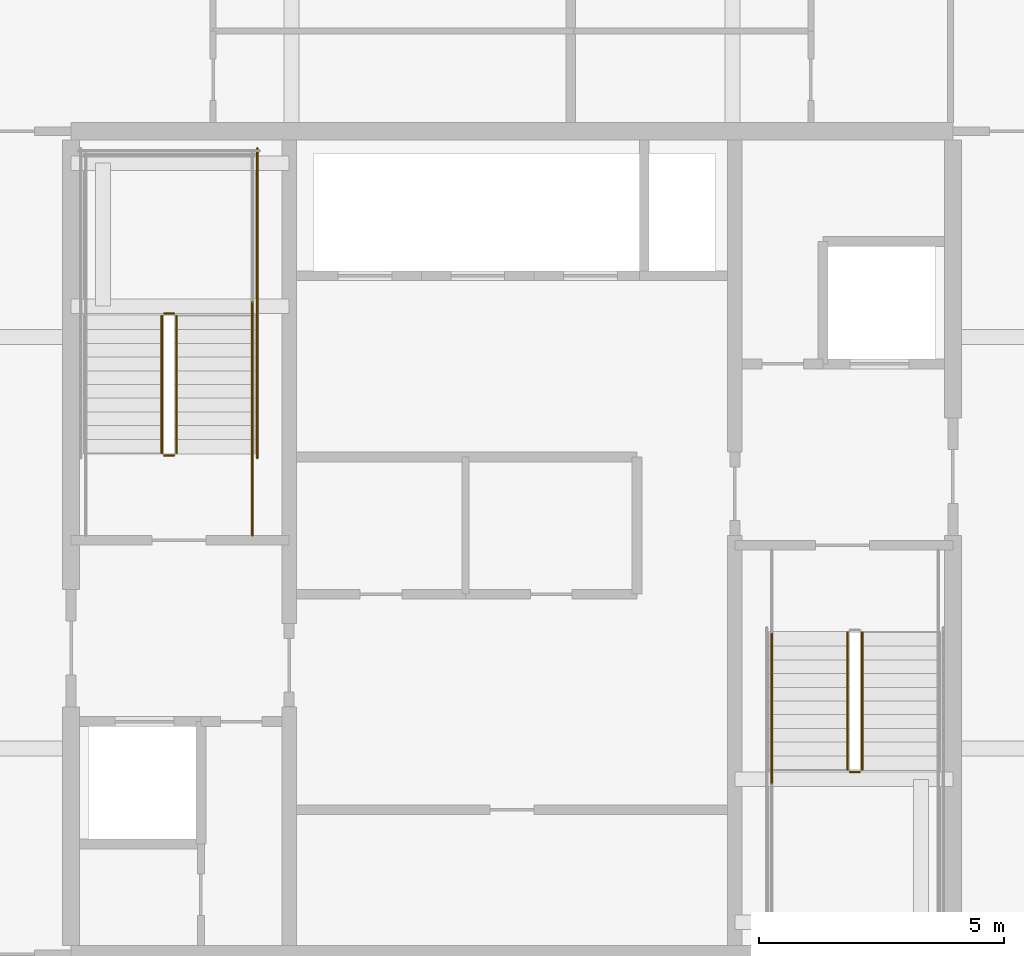
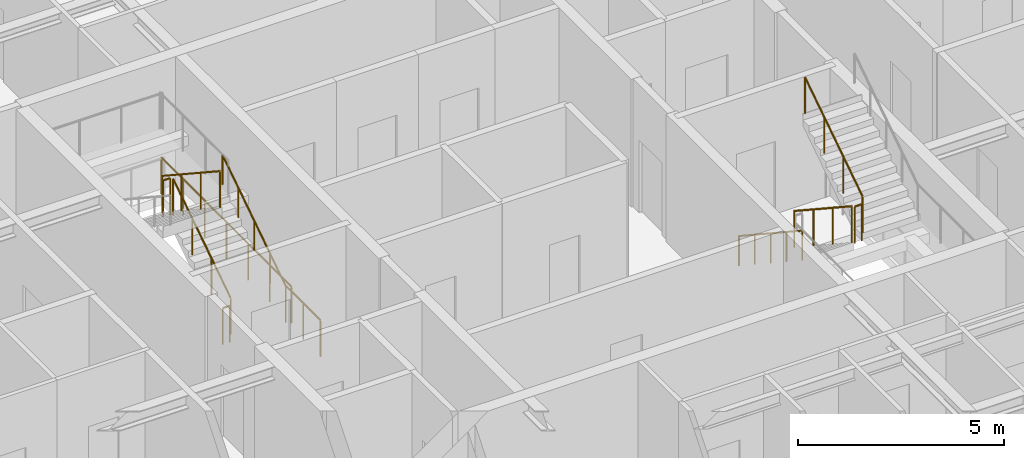
# One storey, part 39 of 42: 11 railings.
"""IFC4 building model written with IfcOpenShell, lengths in metres."""

from ifc_helpers import new_model, si_unit, direction, frame, origin, origin_2d, place, context, subcontext, project, spatial, circle, extrude, material, type_object, element, save


model = new_model("IFC4")

# Units and contexts
model_context = context("Model", 3, precision=1e-05, world=origin(), true_north=direction((0.0, 1.0)))
body_context = subcontext(model_context, "Body", "Model", "MODEL_VIEW")
ifc_project = project(units=[si_unit("LENGTHUNIT", "METRE"), si_unit("AREAUNIT", "SQUARE_METRE"), si_unit("VOLUMEUNIT", "CUBIC_METRE"), si_unit("PLANEANGLEUNIT", "RADIAN"), si_unit("MASSUNIT", "GRAM", prefix="KILO")], contexts=[model_context])

# Site, building, storey
site_placement = place(None, origin())
site = spatial("IfcSite", under=ifc_project, at=site_placement, CompositionType="ELEMENT")
building_placement = place(site_placement, origin())
building = spatial("IfcBuilding", under=site, at=building_placement, Name="Serunith Strait Residences", CompositionType="ELEMENT")
storey_placement = place(building_placement, frame((0.0, 0.0, 325.85009765625)))
storey = spatial("IfcBuildingStorey", under=building, at=storey_placement, Name="L81", CompositionType="ELEMENT", Elevation=325.85009765625)

# Railings
ifc_material = material(Name="Brushed stainless steel 316L", Category="steel")
railing_type_1 = type_object("IfcRailingType", Name="RLG-STAIR-GUARD", PredefinedType="BALUSTRADE", material=ifc_material)
railing_1_placement = place(storey_placement, frame((25.550048828125, 27.030029296875, 0.18408203125)))
element("IfcRailing", 1, at=railing_1_placement, inside=storey, type_object=railing_type_1, Name="L81 ST-1 stair guard 1", PredefinedType="BALUSTRADE", context=body_context, shape_type="SweptSolid", body=[
    extrude(circle(Radius=0.02392578125, at=origin_2d()), frame((0.0, 0.001708984375, 1.0771484375), z_axis=(0.0, 0.835597507184, 0.549342157483), x_axis=(-1.0, 0.0, 0.0)), (0.0, 0.0, 1.0), 3.346923828125),
    extrude(circle(Radius=0.02099609375, at=origin_2d()), origin(), (0.0, 0.0, 1.0), 1.050048828125),
    extrude(circle(Radius=0.02099609375, at=origin_2d()), frame((0.0, 0.933349609375, 0.613525390625)), (0.0, 0.0, 1.0), 1.050048828125),
    extrude(circle(Radius=0.02099609375, at=origin_2d()), frame((0.0, 1.86669921875, 1.227294921875)), (0.0, 0.0, 1.0), 1.050048828125),
    extrude(circle(Radius=0.02099609375, at=origin_2d()), frame((0.0, 2.800048828125, 1.8408203125)), (0.0, 0.0, 1.0), 1.050048828125),
])
railing_2_placement = place(storey_placement, frame((25.5, 29.8798828125, 2.02490234375)))
element("IfcRailing", 2, at=railing_2_placement, inside=storey, type_object=railing_type_1, Name="L81 ST-1 stair guard 2", PredefinedType="BALUSTRADE", context=body_context, shape_type="SweptSolid", body=[
    extrude(circle(Radius=0.02392578125, at=origin_2d()), frame((-0.001953125, 0.0, 1.076171875), z_axis=(-1.0, 0.0, 0.0), x_axis=(0.0, -1.0, 0.0)), (0.0, 0.0, 1.0), 0.196044921875),
    extrude(circle(Radius=0.02099609375, at=origin_2d()), origin(), (0.0, 0.0, 1.0), 1.050048828125),
    extrude(circle(Radius=0.02099609375, at=origin_2d()), frame((-0.199951171875, 0.0, 0.0)), (0.0, 0.0, 1.0), 1.050048828125),
])
railing_3_placement = place(storey_placement, frame((25.25, 29.830078125, 2.208984375)))
element("IfcRailing", 3, at=railing_3_placement, inside=storey, type_object=railing_type_1, Name="L81 ST-1 stair guard 6", PredefinedType="BALUSTRADE", context=body_context, shape_type="SweptSolid", body=[
    extrude(circle(Radius=0.02392578125, at=origin_2d()), frame((0.0, -0.001708984375, 1.0771484375), z_axis=(0.0, -0.835597507184, 0.549342157483), x_axis=(1.0, 0.0, 0.0)), (0.0, 0.0, 1.0), 3.346923828125),
    extrude(circle(Radius=0.02099609375, at=origin_2d()), origin(), (0.0, 0.0, 1.0), 1.050048828125),
    extrude(circle(Radius=0.02099609375, at=origin_2d()), frame((0.0, -0.933349609375, 0.613525390625)), (0.0, 0.0, 1.0), 1.050048828125),
    extrude(circle(Radius=0.02099609375, at=origin_2d()), frame((0.0, -1.86669921875, 1.227294921875)), (0.0, 0.0, 1.0), 1.050048828125),
    extrude(circle(Radius=0.02099609375, at=origin_2d()), frame((0.0, -2.800048828125, 1.8408203125)), (0.0, 0.0, 1.0), 1.050048828125),
])
railing_4_placement = place(storey_placement, frame((25.5, 26.97998046875, 0.0)))
element("IfcRailing", 4, at=railing_4_placement, inside=storey, type_object=railing_type_1, Name="L81 ST-1 stair guard 7", PredefinedType="BALUSTRADE", context=body_context, shape_type="SweptSolid", body=[
    extrude(circle(Radius=0.02392578125, at=origin_2d()), frame((-0.001953125, 0.0, 1.076171875), z_axis=(-1.0, 0.0, 0.0), x_axis=(0.0, -1.0, 0.0)), (0.0, 0.0, 1.0), 0.196044921875),
    extrude(circle(Radius=0.02099609375, at=origin_2d()), origin(), (0.0, 0.0, 1.0), 1.050048828125),
    extrude(circle(Radius=0.02099609375, at=origin_2d()), frame((-0.199951171875, 0.0, 0.0)), (0.0, 0.0, 1.0), 1.050048828125),
])
railing_5_placement = place(storey_placement, frame((27.10009765625, 25.35009765625, 0.0)))
element("IfcRailing", 5, at=railing_5_placement, inside=storey, type_object=railing_type_1, Name="L81 ST-1 stair guard 8", PredefinedType="BALUSTRADE", context=body_context, shape_type="SweptSolid", body=[
    extrude(circle(Radius=0.02392578125, at=origin_2d()), frame((0.0, 0.001953125, 1.076171875), z_axis=(0.0, 1.0, 0.0), x_axis=(-1.0, 0.0, 0.0)), (0.0, 0.0, 1.0), 1.676025390625),
    extrude(circle(Radius=0.02099609375, at=origin_2d()), origin(), (0.0, 0.0, 1.0), 1.050048828125),
    extrude(circle(Radius=0.02099609375, at=origin_2d()), frame((0.0, 0.83984375, 0.0)), (0.0, 0.0, 1.0), 1.050048828125),
    extrude(circle(Radius=0.02099609375, at=origin_2d()), frame((0.0, 1.679931640625, 0.0)), (0.0, 0.0, 1.0), 1.050048828125),
])
railing_6_placement = place(storey_placement, frame((27.199951171875, 26.929931640625, 0.0)))
element("IfcRailing", 6, at=railing_6_placement, inside=storey, type_object=railing_type_1, Name="L81 ST-1 stair guard 10", PredefinedType="BALUSTRADE", context=body_context, shape_type="SweptSolid", body=[
    extrude(circle(Radius=0.02392578125, at=origin_2d()), frame((0.0, 0.001953125, 1.076171875), z_axis=(0.0, 1.0, 0.0), x_axis=(-1.0, 0.0, 0.0)), (0.0, 0.0, 1.0), 6.316162109375),
    extrude(circle(Radius=0.02099609375, at=origin_2d()), origin(), (0.0, 0.0, 1.0), 1.050048828125),
    extrude(circle(Radius=0.02099609375, at=origin_2d()), frame((0.0, 1.05322265625, 0.0)), (0.0, 0.0, 1.0), 1.050048828125),
    extrude(circle(Radius=0.02099609375, at=origin_2d()), frame((0.0, 2.106689453125, 0.0)), (0.0, 0.0, 1.0), 1.050048828125),
    extrude(circle(Radius=0.02099609375, at=origin_2d()), frame((0.0, 3.16015625, 0.0)), (0.0, 0.0, 1.0), 1.050048828125),
    extrude(circle(Radius=0.02099609375, at=origin_2d()), frame((0.0, 4.21337890625, 0.0)), (0.0, 0.0, 1.0), 1.050048828125),
    extrude(circle(Radius=0.02099609375, at=origin_2d()), frame((0.0, 5.2666015625, 0.0)), (0.0, 0.0, 1.0), 1.050048828125),
    extrude(circle(Radius=0.02099609375, at=origin_2d()), frame((0.0, 6.320068359375, 0.0)), (0.0, 0.0, 1.0), 1.050048828125),
])
railing_7_placement = place(storey_placement, frame((39.25, 23.3701171875, 0.18408203125)))
element("IfcRailing", 7, at=railing_7_placement, inside=storey, type_object=railing_type_1, Name="L81 ST-2 stair guard 1", PredefinedType="BALUSTRADE", context=body_context, shape_type="SweptSolid", body=[
    extrude(circle(Radius=0.02392578125, at=origin_2d()), frame((0.0, -0.001708984375, 1.0771484375), z_axis=(0.0, -0.835597507184, 0.549342157483), x_axis=(1.0, 0.0, 0.0)), (0.0, 0.0, 1.0), 3.346923828125),
    extrude(circle(Radius=0.02099609375, at=origin_2d()), origin(), (0.0, 0.0, 1.0), 1.050048828125),
    extrude(circle(Radius=0.02099609375, at=origin_2d()), frame((0.0, -0.933349609375, 0.613525390625)), (0.0, 0.0, 1.0), 1.050048828125),
    extrude(circle(Radius=0.02099609375, at=origin_2d()), frame((0.0, -1.86669921875, 1.227294921875)), (0.0, 0.0, 1.0), 1.050048828125),
    extrude(circle(Radius=0.02099609375, at=origin_2d()), frame((0.0, -2.800048828125, 1.8408203125)), (0.0, 0.0, 1.0), 1.050048828125),
])
railing_8_placement = place(storey_placement, frame((39.300048828125, 20.52001953125, 2.02490234375)))
element("IfcRailing", 8, at=railing_8_placement, inside=storey, type_object=railing_type_1, Name="L81 ST-2 stair guard 2", PredefinedType="BALUSTRADE", context=body_context, shape_type="SweptSolid", body=[
    extrude(circle(Radius=0.02392578125, at=origin_2d()), frame((0.001953125, 0.0, 1.076171875), z_axis=(1.0, 0.0, 0.0), x_axis=(0.0, 1.0, 0.0)), (0.0, 0.0, 1.0), 0.196044921875),
    extrude(circle(Radius=0.02099609375, at=origin_2d()), origin(), (0.0, 0.0, 1.0), 1.050048828125),
    extrude(circle(Radius=0.02099609375, at=origin_2d()), frame((0.199951171875, 0.0, 0.0)), (0.0, 0.0, 1.0), 1.050048828125),
])
railing_9_placement = place(storey_placement, frame((39.550048828125, 20.570068359375, 2.208984375)))
element("IfcRailing", 9, at=railing_9_placement, inside=storey, type_object=railing_type_1, Name="L81 ST-2 stair guard 6", PredefinedType="BALUSTRADE", context=body_context, shape_type="SweptSolid", body=[
    extrude(circle(Radius=0.02392578125, at=origin_2d()), frame((0.0, 0.001708984375, 1.0771484375), z_axis=(0.0, 0.835597507184, 0.549342157483), x_axis=(-1.0, 0.0, 0.0)), (0.0, 0.0, 1.0), 3.346923828125),
    extrude(circle(Radius=0.02099609375, at=origin_2d()), origin(), (0.0, 0.0, 1.0), 1.050048828125),
    extrude(circle(Radius=0.02099609375, at=origin_2d()), frame((0.0, 0.933349609375, 0.613525390625)), (0.0, 0.0, 1.0), 1.050048828125),
    extrude(circle(Radius=0.02099609375, at=origin_2d()), frame((0.0, 1.86669921875, 1.227294921875)), (0.0, 0.0, 1.0), 1.050048828125),
    extrude(circle(Radius=0.02099609375, at=origin_2d()), frame((0.0, 2.800048828125, 1.8408203125)), (0.0, 0.0, 1.0), 1.050048828125),
])
railing_type_2 = type_object("IfcRailingType", Name="RLG-STAIR-HR", PredefinedType="HANDRAIL", material=ifc_material)
railing_10_placement = place(storey_placement, frame((27.10009765625, 27.030029296875, 0.18408203125)))
element("IfcRailing", 10, at=railing_10_placement, inside=storey, type_object=railing_type_2, Name="L81 ST-1 stair handrail 1", PredefinedType="HANDRAIL", context=body_context, shape_type="SweptSolid", body=[
    extrude(circle(Radius=0.02392578125, at=origin_2d()), frame((0.0, 0.001708984375, 0.876953125), z_axis=(0.0, 0.83496096917, 0.550309167616), x_axis=(-1.0, 0.0, 0.0)), (0.0, 0.0, 1.0), 3.684814453125),
    extrude(circle(Radius=0.02099609375, at=origin_2d()), origin(), (0.0, 0.0, 1.0), 0.849853515625),
    extrude(circle(Radius=0.02099609375, at=origin_2d()), frame((0.0, 0.77001953125, 0.507568359375)), (0.0, 0.0, 1.0), 0.849853515625),
    extrude(circle(Radius=0.02099609375, at=origin_2d()), frame((0.0, 1.5400390625, 1.01513671875)), (0.0, 0.0, 1.0), 0.849853515625),
    extrude(circle(Radius=0.02099609375, at=origin_2d()), frame((0.0, 2.31005859375, 1.5224609375)), (0.0, 0.0, 1.0), 0.849853515625),
    extrude(circle(Radius=0.02099609375, at=origin_2d()), frame((0.0, 3.080078125, 2.030029296875)), (0.0, 0.0, 1.0), 0.849853515625),
])
railing_11_placement = place(storey_placement, frame((37.699951171875, 23.3701171875, 0.18408203125)))
element("IfcRailing", 11, at=railing_11_placement, inside=storey, type_object=railing_type_2, Name="L81 ST-2 stair handrail 1", PredefinedType="HANDRAIL", context=body_context, shape_type="SweptSolid", body=[
    extrude(circle(Radius=0.02392578125, at=origin_2d()), frame((0.0, -0.001708984375, 0.876953125), z_axis=(0.0, -0.83496096917, 0.550309167616), x_axis=(1.0, 0.0, 0.0)), (0.0, 0.0, 1.0), 3.684814453125),
    extrude(circle(Radius=0.02099609375, at=origin_2d()), origin(), (0.0, 0.0, 1.0), 0.849853515625),
    extrude(circle(Radius=0.02099609375, at=origin_2d()), frame((0.0, -0.77001953125, 0.507568359375)), (0.0, 0.0, 1.0), 0.849853515625),
    extrude(circle(Radius=0.02099609375, at=origin_2d()), frame((0.0, -1.5400390625, 1.01513671875)), (0.0, 0.0, 1.0), 0.849853515625),
    extrude(circle(Radius=0.02099609375, at=origin_2d()), frame((0.0, -2.31005859375, 1.5224609375)), (0.0, 0.0, 1.0), 0.849853515625),
    extrude(circle(Radius=0.02099609375, at=origin_2d()), frame((0.0, -3.080078125, 2.030029296875)), (0.0, 0.0, 1.0), 0.849853515625),
])

save(model, "model.ifc")
